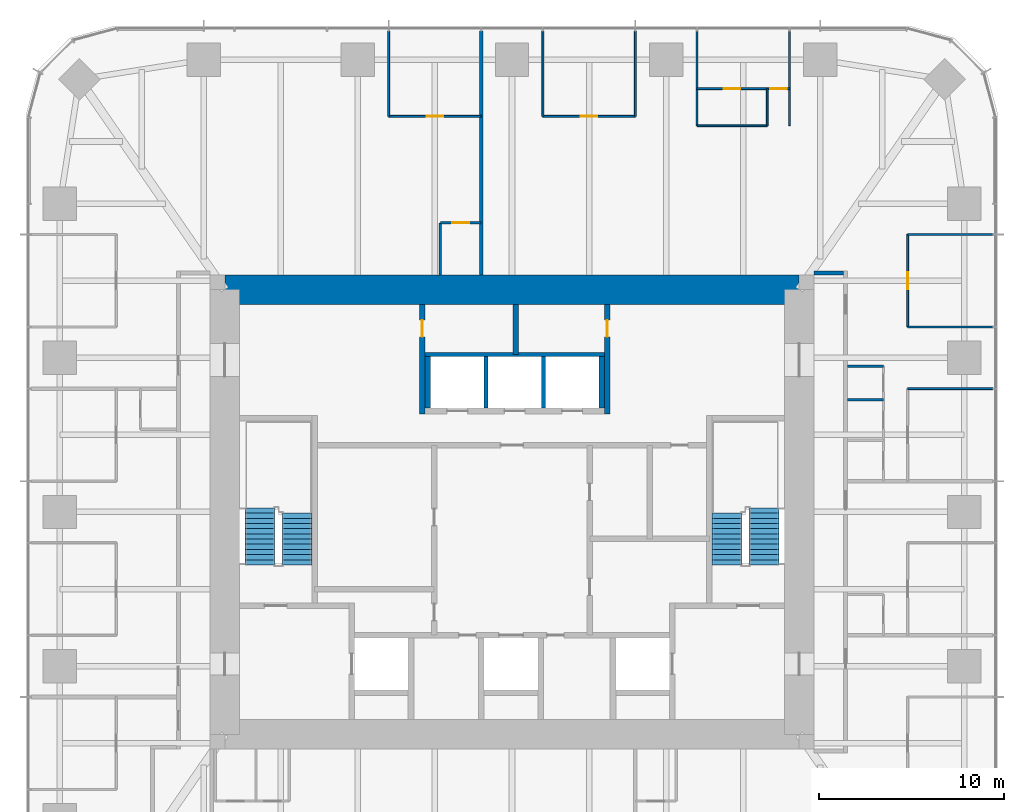
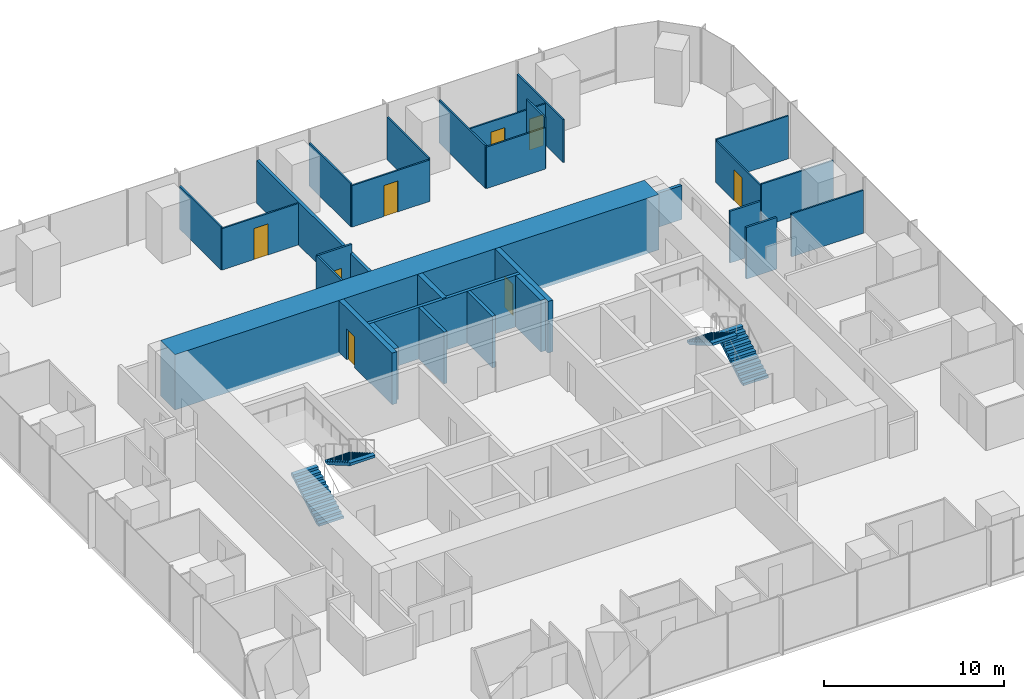
# One storey, part 11 of 12: 29 walls, 8 doors, 4 stair flights, 8 openings, 2 elements without a shape of their own.
"""IFC4 building model written with IfcOpenShell, lengths in metres."""

from ifc_helpers import new_model, si_unit, direction, frame, frame_2d, origin, place, context, subcontext, project, spatial, polyline, rectangle, outline, extrude, material, layer, layer_set, type_object, element, fill, aggregate, save


model = new_model("IFC4")

# Units and contexts
model_context = context("Model", 3, precision=1e-05, world=origin(), true_north=direction((0.0, 1.0)))
body_context = subcontext(model_context, "Body", "Model", "MODEL_VIEW")
ifc_project = project(units=[si_unit("LENGTHUNIT", "METRE"), si_unit("AREAUNIT", "SQUARE_METRE"), si_unit("VOLUMEUNIT", "CUBIC_METRE"), si_unit("PLANEANGLEUNIT", "RADIAN"), si_unit("MASSUNIT", "GRAM", prefix="KILO")], contexts=[model_context])

# Site, building, storey
site_placement = place(None, origin())
site = spatial("IfcSite", under=ifc_project, at=site_placement, CompositionType="ELEMENT")
building_placement = place(site_placement, origin())
building = spatial("IfcBuilding", under=site, at=building_placement, Name="Khuree Lantern Residences", CompositionType="ELEMENT")
storey_placement = place(building_placement, frame((0.0, 0.0, 229.5)))
storey = spatial("IfcBuildingStorey", under=building, at=storey_placement, Name="L57", CompositionType="ELEMENT", Elevation=229.5)

# Walls
ifc_material_1 = material(Name="Moisture-resistant gypsum board on steel studs", Category="steel")
ifc_layer_1 = layer(ifc_material_1, 0.125)
ifc_layer_set_1 = layer_set([ifc_layer_1], Name="BATHROOM WALL BTW125")
wall_type_1 = type_object("IfcWallType", Name="BATHROOM WALL BTW125", PredefinedType="PARTITIONING", material=ifc_layer_set_1)
for number, where, z_axis, x_axis, name in (
    (1, (18.10009765625, 6.06396484375, 0.0), (0.0, 0.0, 1.0), (1.0, 0.0, 0.0), "L57 BATHROOM WALL 02"),
    (2, (18.10009765625, 7.864013671875, 0.0), (0.0, 0.0, 1.0), (1.0, 0.0, 0.0), "L57 BATHROOM WALL 02"),
):
    element("IfcWall", number, at=place(storey_placement, frame(where, z_axis=z_axis, x_axis=x_axis)), inside=storey, type_object=wall_type_1, Name=name, PredefinedType="PARTITIONING", context=body_context, shape_type="SweptSolid", body=[
        extrude(rectangle(XDim=1.949951171875, YDim=0.125, at=frame_2d((0.97509765625, 0.0))), origin(), (0.0, 0.0, 1.0), 3.5),
    ])

# Wall, opening, door
wall_1_placement = place(storey_placement, frame((-1.6640625, 15.60009765625, 0.0), z_axis=(0.0, 0.0, 1.0), x_axis=(-1.0, 0.0, 0.0)))
wall_1 = element("IfcWall", 3, at=wall_1_placement, inside=storey, type_object=wall_type_1, Name="L57 BATHROOM WALL 03", PredefinedType="PARTITIONING", context=body_context, shape_type="SweptSolid", body=[
    extrude(rectangle(XDim=2.199951171875, YDim=0.125, at=frame_2d((1.10009765625, 0.0))), origin(), (0.0, 0.0, 1.0), 3.5),
])
opening_1_placement = place(wall_1_placement, frame((0.64990234375, 0.0, 0.0)))
opening_1 = element("IfcOpeningElement", 4, at=opening_1_placement, cuts=wall_1, Name="Opening 57-037", PredefinedType="OPENING", context=body_context, shape_type="SweptSolid", body=[
    extrude(rectangle(XDim=0.89990234375, YDim=2.10009765625, at=frame_2d((0.449951171875, 1.050048828125))), frame((0.0, 0.072509765625, 0.0), z_axis=(0.0, -1.0, 0.0), x_axis=(1.0, 0.0, 0.0)), (0.0, 0.0, 1.0), 0.14501953125),
])
ifc_material_2 = material(Name="Timber door leaf in hardwood frame", Category="wood")
door_type_1 = type_object("IfcDoorType", Name="BATHROOM DOOR 900X2100", OperationType="SINGLE_SWING_LEFT", PredefinedType="DOOR", material=ifc_material_2)
door_1_placement = place(opening_1_placement, origin())
door_1 = element("IfcDoor", 5, at=door_1_placement, inside=storey, type_object=door_type_1, Name="Bathroom door 57-037", OperationType="SINGLE_SWING_LEFT", OverallHeight=2.10009765625, OverallWidth=0.89990234375, PredefinedType="DOOR", context=body_context, shape_type="SweptSolid", body=[
    extrude(rectangle(XDim=0.89990234375, YDim=2.10009765625, at=frame_2d((0.449951171875, 1.050048828125))), frame((0.0, 0.02490234375, 0.0), z_axis=(0.0, -1.0, 0.0), x_axis=(1.0, 0.0, 0.0)), (0.0, 0.0, 1.0), 0.050048828125),
])
fill(opening_1, door_1)

# Walls
wall_2_placement = place(storey_placement, frame((-3.864013671875, 12.800048828125, 0.0), z_axis=(0.0, 0.0, 1.0), x_axis=(0.0, 1.0, 0.0)))
element("IfcWall", 6, at=wall_2_placement, inside=storey, type_object=wall_type_1, Name="L57 BATHROOM WALL 03", PredefinedType="PARTITIONING", context=body_context, shape_type="SweptSolid", body=[
    extrude(rectangle(XDim=2.800048828125, YDim=0.125, at=frame_2d((1.39990234375, 0.0))), origin(), (0.0, 0.0, 1.0), 3.5),
])
ifc_material_3 = material(Name="Dense concrete blockwork", Category="masonry")
ifc_layer_2 = layer(ifc_material_3, 0.300048828125)
ifc_layer_set_2 = layer_set([ifc_layer_2], Name="CORE PARTITION WALL CPW300 EI 120")
wall_type_2 = type_object("IfcWallType", Name="CORE PARTITION WALL CPW300 EI 120", PredefinedType="PARTITIONING", material=ifc_layer_set_2)
for number, where, z_axis, x_axis, name in (
    (7, (-4.550048828125, 5.60009765625, 0.0), (0.0, 0.0, 1.0), (0.0, 1.0, 0.0), "L57 CORE WALL PHW"),
    (8, (4.85009765625, 5.60009765625, 0.0), (0.0, 0.0, 1.0), (0.0, 1.0, 0.0), "L57 CORE WALL PHE"),
):
    element("IfcWall", number, at=place(storey_placement, frame(where, z_axis=z_axis, x_axis=x_axis)), inside=storey, type_object=wall_type_2, Name=name, PredefinedType="PARTITIONING", context=body_context, shape_type="SweptSolid", body=[
        extrude(rectangle(XDim=2.7998046875, YDim=0.300048828125, at=frame_2d((1.39990234375, 0.0))), origin(), (0.0, 0.0, 1.0), 3.5),
    ])

# Wall, opening, door
wall_3_placement = place(storey_placement, frame((-4.85009765625, 5.300048828125, 0.0), z_axis=(0.0, 0.0, 1.0), x_axis=(0.0, 1.0, 0.0)))
wall_3 = element("IfcWall", 9, at=wall_3_placement, inside=storey, type_object=wall_type_2, Name="L57 CORE WALL NW", PredefinedType="PARTITIONING", context=body_context, shape_type="SweptSolid", body=[
    extrude(rectangle(XDim=5.89990234375, YDim=0.300048828125, at=frame_2d((2.949951171875, 0.0))), origin(), (0.0, 0.0, 1.0), 3.5),
])
opening_2_placement = place(wall_3_placement, frame((4.14990234375, 0.0, 0.0)))
opening_2 = element("IfcOpeningElement", 10, at=opening_2_placement, cuts=wall_3, Name="Opening 57-021", PredefinedType="OPENING", context=body_context, shape_type="SweptSolid", body=[
    extrude(rectangle(XDim=0.89990234375, YDim=2.10009765625, at=frame_2d((0.449951171875, 1.050048828125))), frame((0.0, 0.16015625, 0.0), z_axis=(0.0, -1.0, 0.0), x_axis=(1.0, 0.0, 0.0)), (0.0, 0.0, 1.0), 0.320068359375),
])
door_type_2 = type_object("IfcDoorType", Name="DOOR 900X2100 RIGHT HAND", OperationType="SINGLE_SWING_RIGHT", PredefinedType="DOOR", material=ifc_material_2)
door_2_placement = place(opening_2_placement, origin())
door_2 = element("IfcDoor", 11, at=door_2_placement, inside=storey, type_object=door_type_2, Name="Refuse holding room door 57-021", OperationType="SINGLE_SWING_RIGHT", OverallHeight=2.10009765625, OverallWidth=0.89990234375, PredefinedType="DOOR", context=body_context, shape_type="SweptSolid", body=[
    extrude(rectangle(XDim=0.89990234375, YDim=2.10009765625, at=frame_2d((0.449951171875, 1.050048828125))), frame((0.0, 0.02490234375, 0.0), z_axis=(0.0, -1.0, 0.0), x_axis=(1.0, 0.0, 0.0)), (0.0, 0.0, 1.0), 0.050048828125),
])
fill(opening_2, door_2)

wall_4_placement = place(storey_placement, frame((5.14990234375, 5.300048828125, 0.0), z_axis=(0.0, 0.0, 1.0), x_axis=(0.0, 1.0, 0.0)))
wall_4 = element("IfcWall", 12, at=wall_4_placement, inside=storey, type_object=wall_type_2, Name="L57 CORE WALL NE", PredefinedType="PARTITIONING", context=body_context, shape_type="SweptSolid", body=[
    extrude(rectangle(XDim=5.89990234375, YDim=0.300048828125, at=frame_2d((2.949951171875, 0.0))), origin(), (0.0, 0.0, 1.0), 3.5),
])
opening_3_placement = place(wall_4_placement, frame((4.14990234375, 0.0, 0.0)))
opening_3 = element("IfcOpeningElement", 13, at=opening_3_placement, cuts=wall_4, Name="Opening 57-022", PredefinedType="OPENING", context=body_context, shape_type="SweptSolid", body=[
    extrude(rectangle(XDim=0.89990234375, YDim=2.10009765625, at=frame_2d((0.449951171875, 1.050048828125))), frame((0.0, 0.16015625, 0.0), z_axis=(0.0, -1.0, 0.0), x_axis=(1.0, 0.0, 0.0)), (0.0, 0.0, 1.0), 0.320068359375),
])
door_type_3 = type_object("IfcDoorType", Name="DOOR 900X2100", OperationType="SINGLE_SWING_LEFT", PredefinedType="DOOR", material=ifc_material_2)
door_3_placement = place(opening_3_placement, origin())
door_3 = element("IfcDoor", 14, at=door_3_placement, inside=storey, type_object=door_type_3, Name="Housekeeping store door 57-022", OperationType="SINGLE_SWING_LEFT", OverallHeight=2.10009765625, OverallWidth=0.89990234375, PredefinedType="DOOR", context=body_context, shape_type="SweptSolid", body=[
    extrude(rectangle(XDim=0.89990234375, YDim=2.10009765625, at=frame_2d((0.449951171875, 1.050048828125))), frame((0.0, 0.02490234375, 0.0), z_axis=(0.0, -1.0, 0.0), x_axis=(1.0, 0.0, 0.0)), (0.0, 0.0, 1.0), 0.050048828125),
])
fill(opening_3, door_3)

# Walls
wall_5_placement = place(storey_placement, frame((0.199951171875, 8.5, 0.0), z_axis=(0.0, 0.0, 1.0), x_axis=(0.0, 1.0, 0.0)))
element("IfcWall", 15, at=wall_5_placement, inside=storey, type_object=wall_type_2, Name="L57 CORE WALL NX", PredefinedType="PARTITIONING", context=body_context, shape_type="SweptSolid", body=[
    extrude(rectangle(XDim=2.699951171875, YDim=0.300048828125, at=frame_2d((1.35009765625, 0.0))), origin(), (0.0, 0.0, 1.0), 3.5),
])
ifc_material_4 = material(Name="Gypsum board on steel studs", Category="steel")
ifc_layer_3 = layer(ifc_material_4, 0.199951171875)
ifc_layer_set_3 = layer_set([ifc_layer_3], Name="CORRIDOR WALL CRW200 EI 60")
wall_type_3 = type_object("IfcWallType", Name="CORRIDOR WALL CRW200 EI 60", PredefinedType="PARTITIONING", material=ifc_layer_set_3)
wall_6_placement = place(storey_placement, frame((16.300048828125, 12.89990234375, 0.0), z_axis=(0.0, 0.0, 1.0), x_axis=(1.0, 0.0, 0.0)))
element("IfcWall", 16, at=wall_6_placement, inside=storey, type_object=wall_type_3, Name="L57 EAST CORRIDOR NORTH END WALL", PredefinedType="PARTITIONING", context=body_context, shape_type="SweptSolid", body=[
    extrude(rectangle(XDim=1.599853515625, YDim=0.199951171875, at=frame_2d((0.7998046875, 0.0))), origin(), (0.0, 0.0, 1.0), 2.300048828125),
])
ifc_material_5 = material(Name="Concrete C50/60", Category="concrete")
ifc_layer_4 = layer(ifc_material_5, 1.60009765625)
ifc_layer_set_4 = layer_set([ifc_layer_4], Name="CW1600-C50 CORE WALL C50 1600")
wall_type_4 = type_object("IfcWallType", Name="CW1600-C50 CORE WALL C50 1600", PredefinedType="SHEAR", material=ifc_layer_set_4)
wall_7_placement = place(storey_placement, frame((-15.5, 12.0, -0.25), z_axis=(0.0, 0.0, 1.0), x_axis=(1.0, 0.0, 0.0)))
element("IfcWall", 17, at=wall_7_placement, inside=storey, type_object=wall_type_4, Name="Core wall N", PredefinedType="SHEAR", context=body_context, shape_type="SweptSolid", body=[
    extrude(rectangle(XDim=31.0, YDim=1.60009765625, at=frame_2d((15.5, 0.0))), origin(), (0.0, 0.0, 1.0), 3.75),
])
ifc_layer_5 = layer(ifc_material_4, 0.199951171875)
ifc_layer_set_5 = layer_set([ifc_layer_5], Name="DEMISING WALL DMW200 EI 90")
wall_type_5 = type_object("IfcWallType", Name="DEMISING WALL DMW200 EI 90", PredefinedType="PARTITIONING", material=ifc_layer_set_5)
wall_8_placement = place(storey_placement, frame((-1.6640625, 12.800048828125, 0.0), z_axis=(0.0, 0.0, 1.0), x_axis=(0.0, 1.0, 0.0)))
element("IfcWall", 18, at=wall_8_placement, inside=storey, type_object=wall_type_5, Name="L57 DEMISING WALL 03", PredefinedType="PARTITIONING", context=body_context, shape_type="SweptSolid", body=[
    extrude(rectangle(XDim=13.14990234375, YDim=0.199951171875, at=frame_2d((6.574951171875, 0.0))), origin(), (0.0, 0.0, 1.0), 2.909912109375),
])
ifc_layer_6 = layer(ifc_material_4, 0.10009765625)
ifc_layer_set_6 = layer_set([ifc_layer_6], Name="PARTITION PT100")
wall_type_6 = type_object("IfcWallType", Name="PARTITION PT100", PredefinedType="PARTITIONING", material=ifc_layer_set_6)
for number, where, z_axis, x_axis, name in (
    (19, (21.35009765625, 6.656005859375, 0.0), (0.0, 0.0, 1.0), (1.0, 0.0, 0.0), "L57 PARTITION 02"),
    (20, (21.35009765625, 9.98388671875, 0.0), (0.0, 0.0, 1.0), (1.0, 0.0, 0.0), "L57 PARTITION 02"),
    (21, (21.35009765625, 14.97607421875, 0.0), (0.0, 0.0, 1.0), (1.0, 0.0, 0.0), "L57 PARTITION 02"),
):
    element("IfcWall", number, at=place(storey_placement, frame(where, z_axis=z_axis, x_axis=x_axis)), inside=storey, type_object=wall_type_6, Name=name, PredefinedType="PARTITIONING", context=body_context, shape_type="SweptSolid", body=[
        extrude(rectangle(XDim=4.599853515625, YDim=0.10009765625, at=frame_2d((2.2998046875, 0.0))), origin(), (0.0, 0.0, 1.0), 2.909912109375),
    ])
for number, where, z_axis, x_axis, name in (
    (22, (14.97607421875, 20.844970703125, 0.0), (0.0, 0.0, 1.0), (0.0, 1.0, 0.0), "L57 PARTITION 02"),
    (23, (9.98388671875, 20.844970703125, 0.0), (0.0, 0.0, 1.0), (0.0, 1.0, 0.0), "L57 PARTITION 02"),
):
    element("IfcWall", number, at=place(storey_placement, frame(where, z_axis=z_axis, x_axis=x_axis)), inside=storey, type_object=wall_type_6, Name=name, PredefinedType="PARTITIONING", context=body_context, shape_type="SweptSolid", body=[
        extrude(rectangle(XDim=5.10498046875, YDim=0.10009765625, at=frame_2d((2.552490234375, 0.0))), origin(), (0.0, 0.0, 1.0), 2.909912109375),
    ])
for number, where, z_axis, x_axis, name in (
    (24, (6.656005859375, 21.35009765625, 0.0), (0.0, 0.0, 1.0), (0.0, 1.0, 0.0), "L57 PARTITION 02"),
    (25, (1.6640625, 21.35009765625, 0.0), (0.0, 0.0, 1.0), (0.0, 1.0, 0.0), "L57 PARTITION 02"),
    (26, (-6.656005859375, 21.35009765625, 0.0), (0.0, 0.0, 1.0), (0.0, 1.0, 0.0), "L57 PARTITION 03"),
):
    element("IfcWall", number, at=place(storey_placement, frame(where, z_axis=z_axis, x_axis=x_axis)), inside=storey, type_object=wall_type_6, Name=name, PredefinedType="PARTITIONING", context=body_context, shape_type="SweptSolid", body=[
        extrude(rectangle(XDim=4.599853515625, YDim=0.10009765625, at=frame_2d((2.2998046875, 0.0))), origin(), (0.0, 0.0, 1.0), 2.909912109375),
    ])

# Wall, opening, door
wall_9_placement = place(storey_placement, frame((21.35009765625, 9.98388671875, 0.0), z_axis=(0.0, 0.0, 1.0), x_axis=(0.0, 1.0, 0.0)))
wall_9 = element("IfcWall", 27, at=wall_9_placement, inside=storey, type_object=wall_type_6, Name="L57 PARTITION 02", PredefinedType="PARTITIONING", context=body_context, shape_type="SweptSolid", body=[
    extrude(rectangle(XDim=4.9921875, YDim=0.10009765625, at=frame_2d((2.49609375, 0.0))), origin(), (0.0, 0.0, 1.0), 2.81005859375),
])
opening_4_placement = place(wall_9_placement, frame((2.0458984375, 0.0, 0.0)))
opening_4 = element("IfcOpeningElement", 28, at=opening_4_placement, cuts=wall_9, Name="Opening 57-027", PredefinedType="OPENING", context=body_context, shape_type="SweptSolid", body=[
    extrude(rectangle(XDim=0.89990234375, YDim=2.10009765625, at=frame_2d((0.449951171875, 1.050048828125))), frame((0.0, 0.06005859375, 0.0), z_axis=(0.0, -1.0, 0.0), x_axis=(1.0, 0.0, 0.0)), (0.0, 0.0, 1.0), 0.1201171875),
])
door_type_4 = type_object("IfcDoorType", Name="BEDROOM DOOR 900X2100", OperationType="SINGLE_SWING_LEFT", PredefinedType="DOOR", material=ifc_material_2)
door_4_placement = place(opening_4_placement, origin())
door_4 = element("IfcDoor", 29, at=door_4_placement, inside=storey, type_object=door_type_4, Name="Bedroom door 57-027", OperationType="SINGLE_SWING_LEFT", OverallHeight=2.10009765625, OverallWidth=0.89990234375, PredefinedType="DOOR", context=body_context, shape_type="SweptSolid", body=[
    extrude(rectangle(XDim=0.89990234375, YDim=2.10009765625, at=frame_2d((0.449951171875, 1.050048828125))), frame((0.0, 0.02490234375, 0.0), z_axis=(0.0, -1.0, 0.0), x_axis=(1.0, 0.0, 0.0)), (0.0, 0.0, 1.0), 0.050048828125),
])
fill(opening_4, door_4)

# Wall, openings, doors
wall_10_placement = place(storey_placement, frame((14.97607421875, 22.844970703125, 0.0), z_axis=(0.0, 0.0, 1.0), x_axis=(-1.0, 0.0, 0.0)))
wall_10 = element("IfcWall", 30, at=wall_10_placement, inside=storey, type_object=wall_type_6, Name="L57 PARTITION 02", PredefinedType="PARTITIONING", context=body_context, shape_type="SweptSolid", body=[
    extrude(rectangle(XDim=4.9921875, YDim=0.10009765625, at=frame_2d((2.49609375, 0.0))), origin(), (0.0, 0.0, 1.0), 2.81005859375),
])
opening_5_placement = place(wall_10_placement, frame((0.14990234375, 0.0, 0.0)))
opening_5 = element("IfcOpeningElement", 31, at=opening_5_placement, cuts=wall_10, Name="Opening 57-028", PredefinedType="OPENING", context=body_context, shape_type="SweptSolid", body=[
    extrude(rectangle(XDim=0.89990234375, YDim=2.10009765625, at=frame_2d((0.449951171875, 1.050048828125))), frame((0.0, 0.06005859375, 0.0), z_axis=(0.0, -1.0, 0.0), x_axis=(1.0, 0.0, 0.0)), (0.0, 0.0, 1.0), 0.1201171875),
])
opening_6_placement = place(wall_10_placement, frame((2.64599609375, 0.0, 0.0)))
opening_6 = element("IfcOpeningElement", 32, at=opening_6_placement, cuts=wall_10, Name="Opening 57-029", PredefinedType="OPENING", context=body_context, shape_type="SweptSolid", body=[
    extrude(rectangle(XDim=0.89990234375, YDim=2.10009765625, at=frame_2d((0.449951171875, 1.050048828125))), frame((0.0, 0.06005859375, 0.0), z_axis=(0.0, -1.0, 0.0), x_axis=(1.0, 0.0, 0.0)), (0.0, 0.0, 1.0), 0.1201171875),
])
door_5_placement = place(opening_5_placement, origin())
door_5 = element("IfcDoor", 33, at=door_5_placement, inside=storey, type_object=door_type_4, Name="Bedroom door 57-028", OperationType="SINGLE_SWING_LEFT", OverallHeight=2.10009765625, OverallWidth=0.89990234375, PredefinedType="DOOR", context=body_context, shape_type="SweptSolid", body=[
    extrude(rectangle(XDim=0.89990234375, YDim=2.10009765625, at=frame_2d((0.449951171875, 1.050048828125))), frame((0.0, 0.02490234375, 0.0), z_axis=(0.0, -1.0, 0.0), x_axis=(1.0, 0.0, 0.0)), (0.0, 0.0, 1.0), 0.050048828125),
])
fill(opening_5, door_5)
door_6_placement = place(opening_6_placement, origin())
door_6 = element("IfcDoor", 34, at=door_6_placement, inside=storey, type_object=door_type_3, Name="Wardrobe door 57-029", OperationType="SINGLE_SWING_LEFT", OverallHeight=2.10009765625, OverallWidth=0.89990234375, PredefinedType="DOOR", context=body_context, shape_type="SweptSolid", body=[
    extrude(rectangle(XDim=0.89990234375, YDim=2.10009765625, at=frame_2d((0.449951171875, 1.050048828125))), frame((0.0, 0.02490234375, 0.0), z_axis=(0.0, -1.0, 0.0), x_axis=(1.0, 0.0, 0.0)), (0.0, 0.0, 1.0), 0.050048828125),
])
fill(opening_6, door_6)

# Walls
wall_11_placement = place(storey_placement, frame((13.77587890625, 20.844970703125, 0.0), z_axis=(0.0, 0.0, 1.0), x_axis=(0.0, 1.0, 0.0)))
element("IfcWall", 35, at=wall_11_placement, inside=storey, type_object=wall_type_6, Name="L57 PARTITION 02", PredefinedType="PARTITIONING", context=body_context, shape_type="SweptSolid", body=[
    extrude(rectangle(XDim=2.0, YDim=0.10009765625, at=frame_2d((1.0, 0.0))), origin(), (0.0, 0.0, 1.0), 3.5),
])
wall_12_placement = place(storey_placement, frame((13.77587890625, 20.844970703125, 0.0), z_axis=(0.0, 0.0, 1.0), x_axis=(-1.0, 0.0, 0.0)))
element("IfcWall", 36, at=wall_12_placement, inside=storey, type_object=wall_type_6, Name="L57 PARTITION 02", PredefinedType="PARTITIONING", context=body_context, shape_type="SweptSolid", body=[
    extrude(rectangle(XDim=3.7919921875, YDim=0.10009765625, at=frame_2d((1.89599609375, 0.0))), origin(), (0.0, 0.0, 1.0), 2.81005859375),
])

# Wall, opening, door
wall_13_placement = place(storey_placement, frame((6.656005859375, 21.35009765625, 0.0), z_axis=(0.0, 0.0, 1.0), x_axis=(-1.0, 0.0, 0.0)))
wall_13 = element("IfcWall", 37, at=wall_13_placement, inside=storey, type_object=wall_type_6, Name="L57 PARTITION 02", PredefinedType="PARTITIONING", context=body_context, shape_type="SweptSolid", body=[
    extrude(rectangle(XDim=4.991943359375, YDim=0.10009765625, at=frame_2d((2.49609375, 0.0))), origin(), (0.0, 0.0, 1.0), 2.81005859375),
])
opening_7_placement = place(wall_13_placement, frame((2.0458984375, 0.0, 0.0)))
opening_7 = element("IfcOpeningElement", 38, at=opening_7_placement, cuts=wall_13, Name="Opening 57-030", PredefinedType="OPENING", context=body_context, shape_type="SweptSolid", body=[
    extrude(rectangle(XDim=0.89990234375, YDim=2.10009765625, at=frame_2d((0.449951171875, 1.050048828125))), frame((0.0, 0.06005859375, 0.0), z_axis=(0.0, -1.0, 0.0), x_axis=(1.0, 0.0, 0.0)), (0.0, 0.0, 1.0), 0.1201171875),
])
door_7_placement = place(opening_7_placement, origin())
door_7 = element("IfcDoor", 39, at=door_7_placement, inside=storey, type_object=door_type_4, Name="Bedroom door 57-030", OperationType="SINGLE_SWING_LEFT", OverallHeight=2.10009765625, OverallWidth=0.89990234375, PredefinedType="DOOR", context=body_context, shape_type="SweptSolid", body=[
    extrude(rectangle(XDim=0.89990234375, YDim=2.10009765625, at=frame_2d((0.449951171875, 1.050048828125))), frame((0.0, 0.02490234375, 0.0), z_axis=(0.0, -1.0, 0.0), x_axis=(1.0, 0.0, 0.0)), (0.0, 0.0, 1.0), 0.050048828125),
])
fill(opening_7, door_7)

wall_14_placement = place(storey_placement, frame((-1.6640625, 21.35009765625, 0.0), z_axis=(0.0, 0.0, 1.0), x_axis=(-1.0, 0.0, 0.0)))
wall_14 = element("IfcWall", 40, at=wall_14_placement, inside=storey, type_object=wall_type_6, Name="L57 PARTITION 03", PredefinedType="PARTITIONING", context=body_context, shape_type="SweptSolid", body=[
    extrude(rectangle(XDim=4.991943359375, YDim=0.10009765625, at=frame_2d((2.49609375, 0.0))), origin(), (0.0, 0.0, 1.0), 2.81005859375),
])
opening_8_placement = place(wall_14_placement, frame((2.0458984375, 0.0, 0.0)))
opening_8 = element("IfcOpeningElement", 41, at=opening_8_placement, cuts=wall_14, Name="Opening 57-035", PredefinedType="OPENING", context=body_context, shape_type="SweptSolid", body=[
    extrude(rectangle(XDim=0.89990234375, YDim=2.10009765625, at=frame_2d((0.449951171875, 1.050048828125))), frame((0.0, 0.06005859375, 0.0), z_axis=(0.0, -1.0, 0.0), x_axis=(1.0, 0.0, 0.0)), (0.0, 0.0, 1.0), 0.1201171875),
])
door_8_placement = place(opening_8_placement, origin())
door_8 = element("IfcDoor", 42, at=door_8_placement, inside=storey, type_object=door_type_4, Name="Bedroom door 57-035", OperationType="SINGLE_SWING_LEFT", OverallHeight=2.10009765625, OverallWidth=0.89990234375, PredefinedType="DOOR", context=body_context, shape_type="SweptSolid", body=[
    extrude(rectangle(XDim=0.89990234375, YDim=2.10009765625, at=frame_2d((0.449951171875, 1.050048828125))), frame((0.0, 0.02490234375, 0.0), z_axis=(0.0, -1.0, 0.0), x_axis=(1.0, 0.0, 0.0)), (0.0, 0.0, 1.0), 0.050048828125),
])
fill(opening_8, door_8)

# Walls
ifc_layer_7 = layer(ifc_material_3, 0.199951171875)
ifc_layer_set_7 = layer_set([ifc_layer_7], Name="SHAFT WALL SHW200 EI 120")
wall_type_7 = type_object("IfcWallType", Name="SHAFT WALL SHW200 EI 120", PredefinedType="PARTITIONING", material=ifc_layer_set_7)
wall_15_placement = place(storey_placement, frame((-4.699951171875, 8.5, 0.0), z_axis=(0.0, 0.0, 1.0), x_axis=(1.0, 0.0, 0.0)))
element("IfcWall", 43, at=wall_15_placement, inside=storey, type_object=wall_type_7, Name="L57 CORE WALL PHN", PredefinedType="PARTITIONING", context=body_context, shape_type="SweptSolid", body=[
    extrude(rectangle(XDim=9.699951171875, YDim=0.199951171875, at=frame_2d((4.85009765625, 0.0))), origin(), (0.0, 0.0, 1.0), 3.5),
])
for number, where, z_axis, x_axis, name in (
    (44, (-1.39990234375, 5.60009765625, 0.0), (0.0, 0.0, 1.0), (0.0, 1.0, 0.0), "L57 CORE WALL PHD1"),
    (45, (1.699951171875, 5.60009765625, 0.0), (0.0, 0.0, 1.0), (0.0, 1.0, 0.0), "L57 CORE WALL PHD2"),
):
    element("IfcWall", number, at=place(storey_placement, frame(where, z_axis=z_axis, x_axis=x_axis)), inside=storey, type_object=wall_type_7, Name=name, PredefinedType="PARTITIONING", context=body_context, shape_type="SweptSolid", body=[
        extrude(rectangle(XDim=2.7998046875, YDim=0.199951171875, at=frame_2d((1.39990234375, 0.0))), origin(), (0.0, 0.0, 1.0), 3.5),
    ])

# Stair, stair flights
ifc_material_6 = material(Name="Concrete C40/50", Category="concrete")
stair_type = type_object("IfcStairType", Name="STAIR ST1 HALF TURN 3600", PredefinedType="HALF_TURN_STAIR", material=ifc_material_6)
stair_1_placement = place(storey_placement, origin())
stair_1 = element("IfcStair", 46, at=stair_1_placement, inside=storey, type_object=stair_type, Name="Stair ST1", PredefinedType="HALF_TURN_STAIR")
stair_flight_type = type_object("IfcStairFlightType", Name="STAIR FLIGHT SF1 1600", PredefinedType="STRAIGHT", material=ifc_material_6)
stair_flight_1_placement = place(storey_placement, frame((-13.60009765625, -2.860107421875, 0.0), z_axis=(0.0, 0.0, 1.0), x_axis=(0.0, 1.0, 0.0)))
stair_flight_1 = element("IfcStairFlight", 47, at=stair_flight_1_placement, type_object=stair_flight_type, Name="ST1 flight 1", NumberOfRisers=12, NumberOfTreads=11, PredefinedType="STRAIGHT", RiserHeight=0.163043478, TreadLength=0.28, context=body_context, shape_type="SweptSolid", body=[
    extrude(outline(polyline([(0.0, 0.0), (0.0, 0.1630859375), (0.280029296875, 0.1630859375), (0.280029296875, 0.326171875), (0.56005859375, 0.326171875), (0.56005859375, 0.489013671875), (0.840087890625, 0.489013671875), (0.840087890625, 0.652099609375), (1.1201171875, 0.652099609375), (1.1201171875, 0.815185546875), (1.39990234375, 0.815185546875), (1.39990234375, 0.978271484375), (1.679931640625, 0.978271484375), (1.679931640625, 1.141357421875), (1.9599609375, 1.141357421875), (1.9599609375, 1.304443359375), (2.239990234375, 1.304443359375), (2.239990234375, 1.46728515625), (2.52001953125, 1.46728515625), (2.52001953125, 1.63037109375), (2.800048828125, 1.63037109375), (2.800048828125, 1.79345703125), (3.080078125, 1.79345703125), (3.080078125, 1.95654296875), (3.080078125, 1.6201171875), (0.2978515625, 0.0), (0.0, 0.0)])), frame((0.0, 0.800048828125, 0.0), z_axis=(0.0, -1.0, 0.0), x_axis=(1.0, 0.0, 0.0)), (0.0, 0.0, 1.0), 1.60009765625),
])
stair_flight_2_placement = place(storey_placement, frame((-11.60009765625, -0.06005859375, 1.95654296875), z_axis=(0.0, 0.0, 1.0), x_axis=(0.0, -1.0, 0.0)))
stair_flight_2 = element("IfcStairFlight", 48, at=stair_flight_2_placement, type_object=stair_flight_type, Name="ST1 flight 2", NumberOfRisers=11, NumberOfTreads=10, PredefinedType="STRAIGHT", RiserHeight=0.163043478, TreadLength=0.28, context=body_context, shape_type="SweptSolid", body=[
    extrude(outline(polyline([(0.0, 0.0), (0.0, 0.1630859375), (0.280029296875, 0.1630859375), (0.280029296875, 0.326171875), (0.56005859375, 0.326171875), (0.56005859375, 0.489013671875), (0.840087890625, 0.489013671875), (0.840087890625, 0.652099609375), (1.1201171875, 0.652099609375), (1.1201171875, 0.815185546875), (1.39990234375, 0.815185546875), (1.39990234375, 0.978271484375), (1.679931640625, 0.978271484375), (1.679931640625, 1.141357421875), (1.9599609375, 1.141357421875), (1.9599609375, 1.304443359375), (2.239990234375, 1.304443359375), (2.239990234375, 1.46728515625), (2.52001953125, 1.46728515625), (2.52001953125, 1.63037109375), (2.800048828125, 1.63037109375), (2.800048828125, 1.79345703125), (2.800048828125, 1.45703125), (0.2978515625, 0.0), (0.0, 0.0)])), frame((0.0, 0.800048828125, 0.0), z_axis=(0.0, -1.0, 0.0), x_axis=(1.0, 0.0, 0.0)), (0.0, 0.0, 1.0), 1.60009765625),
])
aggregate(stair_1, [stair_flight_1, stair_flight_2])

stair_2_placement = place(storey_placement, origin())
stair_2 = element("IfcStair", 49, at=stair_2_placement, inside=storey, type_object=stair_type, Name="Stair ST2", PredefinedType="HALF_TURN_STAIR")
stair_flight_3_placement = place(storey_placement, frame((13.60009765625, -2.860107421875, 0.0), z_axis=(0.0, 0.0, 1.0), x_axis=(0.0, 1.0, 0.0)))
stair_flight_3 = element("IfcStairFlight", 50, at=stair_flight_3_placement, type_object=stair_flight_type, Name="ST2 flight 1", NumberOfRisers=12, NumberOfTreads=11, PredefinedType="STRAIGHT", RiserHeight=0.163043478, TreadLength=0.28, context=body_context, shape_type="SweptSolid", body=[
    extrude(outline(polyline([(0.0, 0.0), (0.0, 0.1630859375), (0.280029296875, 0.1630859375), (0.280029296875, 0.326171875), (0.56005859375, 0.326171875), (0.56005859375, 0.489013671875), (0.840087890625, 0.489013671875), (0.840087890625, 0.652099609375), (1.1201171875, 0.652099609375), (1.1201171875, 0.815185546875), (1.39990234375, 0.815185546875), (1.39990234375, 0.978271484375), (1.679931640625, 0.978271484375), (1.679931640625, 1.141357421875), (1.9599609375, 1.141357421875), (1.9599609375, 1.304443359375), (2.239990234375, 1.304443359375), (2.239990234375, 1.46728515625), (2.52001953125, 1.46728515625), (2.52001953125, 1.63037109375), (2.800048828125, 1.63037109375), (2.800048828125, 1.79345703125), (3.080078125, 1.79345703125), (3.080078125, 1.95654296875), (3.080078125, 1.6201171875), (0.2978515625, 0.0), (0.0, 0.0)])), frame((0.0, 0.800048828125, 0.0), z_axis=(0.0, -1.0, 0.0), x_axis=(1.0, 0.0, 0.0)), (0.0, 0.0, 1.0), 1.60009765625),
])
stair_flight_4_placement = place(storey_placement, frame((11.60009765625, -0.06005859375, 1.95654296875), z_axis=(0.0, 0.0, 1.0), x_axis=(0.0, -1.0, 0.0)))
stair_flight_4 = element("IfcStairFlight", 51, at=stair_flight_4_placement, type_object=stair_flight_type, Name="ST2 flight 2", NumberOfRisers=11, NumberOfTreads=10, PredefinedType="STRAIGHT", RiserHeight=0.163043478, TreadLength=0.28, context=body_context, shape_type="SweptSolid", body=[
    extrude(outline(polyline([(0.0, 0.0), (0.0, 0.1630859375), (0.280029296875, 0.1630859375), (0.280029296875, 0.326171875), (0.56005859375, 0.326171875), (0.56005859375, 0.489013671875), (0.840087890625, 0.489013671875), (0.840087890625, 0.652099609375), (1.1201171875, 0.652099609375), (1.1201171875, 0.815185546875), (1.39990234375, 0.815185546875), (1.39990234375, 0.978271484375), (1.679931640625, 0.978271484375), (1.679931640625, 1.141357421875), (1.9599609375, 1.141357421875), (1.9599609375, 1.304443359375), (2.239990234375, 1.304443359375), (2.239990234375, 1.46728515625), (2.52001953125, 1.46728515625), (2.52001953125, 1.63037109375), (2.800048828125, 1.63037109375), (2.800048828125, 1.79345703125), (2.800048828125, 1.45703125), (0.2978515625, 0.0), (0.0, 0.0)])), frame((0.0, 0.800048828125, 0.0), z_axis=(0.0, -1.0, 0.0), x_axis=(1.0, 0.0, 0.0)), (0.0, 0.0, 1.0), 1.60009765625),
])
aggregate(stair_2, [stair_flight_3, stair_flight_4])

save(model, "model.ifc")
